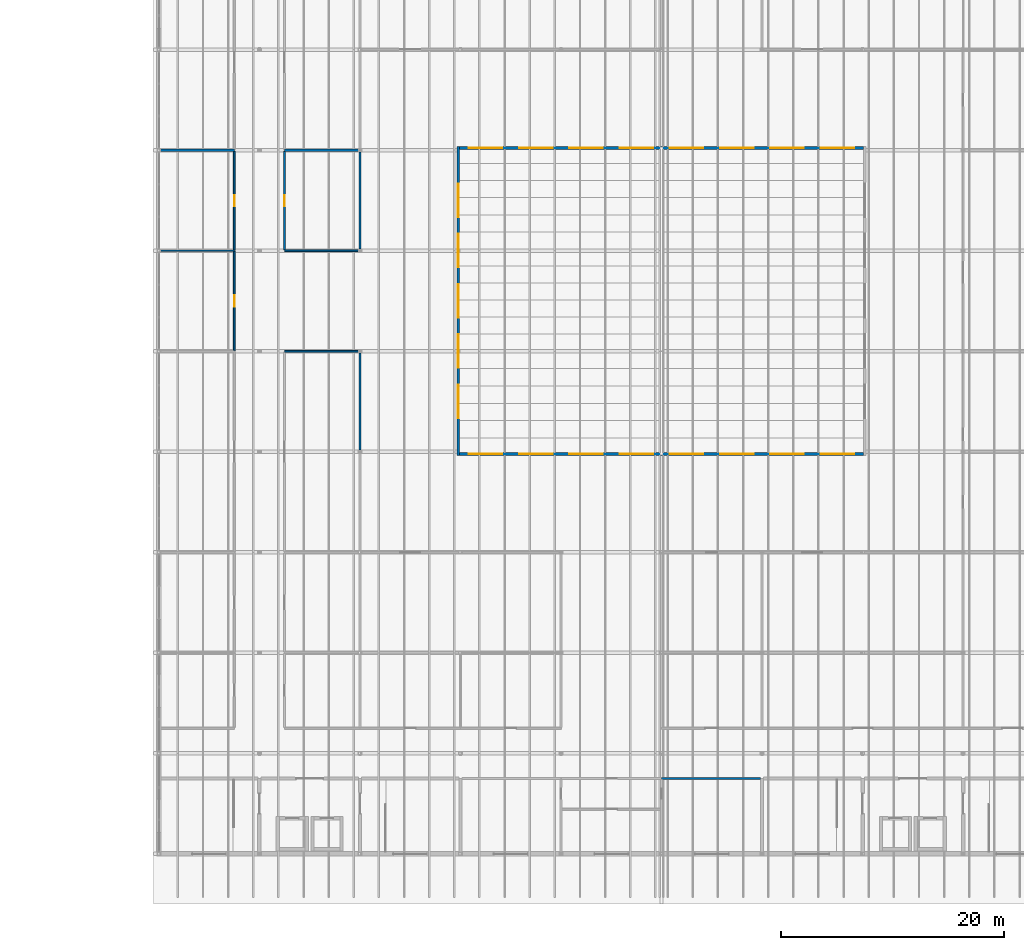
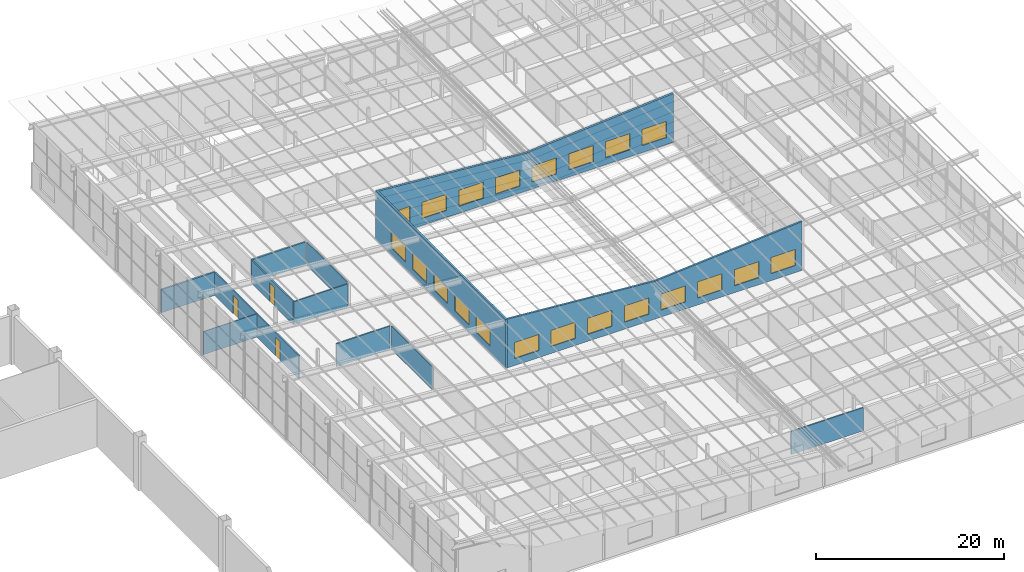
# One storey, part 72 of 85: 21 windows, 14 walls, 3 doors, 24 openings.
"""IFC4 building model written with IfcOpenShell, lengths in metres."""

from ifc_helpers import new_model, si_unit, direction, frame, frame_2d, origin, place, context, subcontext, project, spatial, polyline, rectangle, outline, extrude, material, layer, layer_set, type_object, element, fill, save


model = new_model("IFC4")

# Units and contexts
model_context = context("Model", 3, precision=1e-05, world=origin(), true_north=direction((0.0, 1.0)))
body_context = subcontext(model_context, "Body", "Model", "MODEL_VIEW")
ifc_project = project(units=[si_unit("LENGTHUNIT", "METRE"), si_unit("AREAUNIT", "SQUARE_METRE"), si_unit("VOLUMEUNIT", "CUBIC_METRE"), si_unit("PLANEANGLEUNIT", "RADIAN"), si_unit("MASSUNIT", "GRAM", prefix="KILO")], contexts=[model_context])

# Site, building, storey
site_placement = place(None, origin())
site = spatial("IfcSite", under=ifc_project, at=site_placement, CompositionType="ELEMENT")
building_placement = place(site_placement, origin())
building = spatial("IfcBuilding", under=site, at=building_placement, Name="Opaline Strait Convention Centre", CompositionType="ELEMENT")
storey_placement = place(building_placement, frame((0.0, 0.0, 17.0)))
storey = spatial("IfcBuildingStorey", under=building, at=storey_placement, Name="L03", CompositionType="ELEMENT", Elevation=17.0)

# Walls
ifc_material_1 = material(Name="Gypsum board")
ifc_layer_1 = layer(ifc_material_1, 0.050048828125)
ifc_material_2 = material(Name="Steel stud and mineral wool", Category="steel")
ifc_layer_2 = layer(ifc_material_2, 0.10009765625)
ifc_layer_3 = layer(ifc_material_1, 0.050048828125)
ifc_layer_set_1 = layer_set([ifc_layer_1, ifc_layer_2, ifc_layer_3], Name="Gypsum board, Steel stud and mineral wool, Gypsum board")
wall_type_1 = type_object("IfcWallType", Name="Acoustic partition 200 EI45", PredefinedType="PARTITIONING", material=ifc_layer_set_1)
for number, where, z_axis, x_axis, name in (
    (1, (279.14990234375, 153.0, 0.0), (0.0, 0.0, 1.0), (1.0, 0.0, 0.0), "MPW5 partition Speaker Preparation Room 3.05 N"),
    (2, (290.25, 153.0, 0.0), (0.0, 0.0, 1.0), (1.0, 0.0, 0.0), "MPW5 partition Breakout Room 3.10 N"),
):
    element("IfcWall", number, at=place(storey_placement, frame(where, z_axis=z_axis, x_axis=x_axis)), inside=storey, type_object=wall_type_1, Name=name, PredefinedType="PARTITIONING", context=body_context, shape_type="SweptSolid", body=[
        extrude(rectangle(XDim=6.60009765625, YDim=0.199951171875, at=frame_2d((3.300048828125, 0.0))), origin(), (0.0, 0.0, 1.0), 3.0),
    ])

# Wall, opening, door
ifc_layer_4 = layer(ifc_material_1, 0.032470703125)
ifc_layer_5 = layer(ifc_material_2, 0.0849609375)
ifc_layer_6 = layer(ifc_material_1, 0.032470703125)
ifc_layer_set_2 = layer_set([ifc_layer_4, ifc_layer_5, ifc_layer_6], Name="Gypsum board, Steel stud and mineral wool, Gypsum board")
wall_type_2 = type_object("IfcWallType", Name="Corridor partition 150 EI60", PredefinedType="PARTITIONING", material=ifc_layer_set_2)
wall_1_placement = place(storey_placement, frame((285.75, 135.050048828125, 0.0), z_axis=(0.0, 0.0, 1.0), x_axis=(0.0, 1.0, 0.0)))
wall_1 = element("IfcWall", 3, at=wall_1_placement, inside=storey, type_object=wall_type_2, Name="MPW1 partition Press Room 3.04 E", PredefinedType="PARTITIONING", context=body_context, shape_type="SweptSolid", body=[
    extrude(rectangle(XDim=8.89990234375, YDim=0.14990234375, at=frame_2d((4.449951171875, 0.0))), origin(), (0.0, 0.0, 1.0), 3.0),
])
opening_1_placement = place(wall_1_placement, frame((3.949951171875, 0.0, 0.0)))
opening_1 = element("IfcOpeningElement", 4, at=opening_1_placement, cuts=wall_1, Name="Opening M3-024", PredefinedType="OPENING", context=body_context, shape_type="SweptSolid", body=[
    extrude(rectangle(XDim=1.0, YDim=2.39990234375, at=frame_2d((0.5, 1.199951171875))), frame((0.0, 0.0849609375, 0.0), z_axis=(0.0, -1.0, 0.0), x_axis=(1.0, 0.0, 0.0)), (0.0, 0.0, 1.0), 0.169921875),
])
ifc_material_3 = material(Name="Solid-core timber leaf, steel frame door set", Category="steel")
door_type = type_object("IfcDoorType", Name="Meeting room door FD30 1000 x 2400", OperationType="SINGLE_SWING_LEFT", PredefinedType="DOOR", material=ifc_material_3)
door_1_placement = place(opening_1_placement, frame((1.0, 0.0, 0.0), z_axis=(0.0, 0.0, 1.0), x_axis=(-1.0, 0.0, 0.0)))
door_1 = element("IfcDoor", 5, at=door_1_placement, inside=storey, type_object=door_type, Name="Door Press Room 3.04", ObjectType="MD8", OperationType="SINGLE_SWING_RIGHT", OverallHeight=2.39990234375, OverallWidth=1.0, PredefinedType="DOOR", context=body_context, shape_type="SweptSolid", body=[
    extrude(rectangle(XDim=1.0, YDim=2.39990234375, at=frame_2d((0.5, 1.199951171875))), frame((0.0, 0.02490234375, 0.0), z_axis=(0.0, -1.0, 0.0), x_axis=(1.0, 0.0, 0.0)), (0.0, 0.0, 1.0), 0.050048828125),
])
fill(opening_1, door_1)

wall_2_placement = place(storey_placement, frame((285.75, 144.050048828125, 0.0), z_axis=(0.0, 0.0, 1.0), x_axis=(0.0, 1.0, 0.0)))
wall_2 = element("IfcWall", 6, at=wall_2_placement, inside=storey, type_object=wall_type_2, Name="MPW1 partition Speaker Preparation Room 3.05 E", PredefinedType="PARTITIONING", context=body_context, shape_type="SweptSolid", body=[
    extrude(rectangle(XDim=8.849853515625, YDim=0.14990234375, at=frame_2d((4.4248046875, 0.0))), origin(), (0.0, 0.0, 1.0), 3.0),
])
opening_2_placement = place(wall_2_placement, frame((3.9248046875, 0.0, 0.0)))
opening_2 = element("IfcOpeningElement", 7, at=opening_2_placement, cuts=wall_2, Name="Opening M3-025", PredefinedType="OPENING", context=body_context, shape_type="SweptSolid", body=[
    extrude(rectangle(XDim=1.0, YDim=2.39990234375, at=frame_2d((0.5, 1.199951171875))), frame((0.0, 0.0849609375, 0.0), z_axis=(0.0, -1.0, 0.0), x_axis=(1.0, 0.0, 0.0)), (0.0, 0.0, 1.0), 0.169921875),
])
door_2_placement = place(opening_2_placement, frame((1.0, 0.0, 0.0), z_axis=(0.0, 0.0, 1.0), x_axis=(-1.0, 0.0, 0.0)))
door_2 = element("IfcDoor", 8, at=door_2_placement, inside=storey, type_object=door_type, Name="Door Speaker Preparation Room 3.05", ObjectType="MD8", OperationType="SINGLE_SWING_LEFT", OverallHeight=2.39990234375, OverallWidth=1.0, PredefinedType="DOOR", context=body_context, shape_type="SweptSolid", body=[
    extrude(rectangle(XDim=1.0, YDim=2.39990234375, at=frame_2d((0.5, 1.199951171875))), frame((0.0, 0.02490234375, 0.0), z_axis=(0.0, -1.0, 0.0), x_axis=(1.0, 0.0, 0.0)), (0.0, 0.0, 1.0), 0.050048828125),
])
fill(opening_2, door_2)

# Walls
wall_3_placement = place(storey_placement, frame((290.25, 135.0, 0.0), z_axis=(0.0, 0.0, 1.0), x_axis=(1.0, 0.0, 0.0)))
element("IfcWall", 9, at=wall_3_placement, inside=storey, type_object=wall_type_2, Name="MPW1 partition Seminar Room 3.09 N", PredefinedType="PARTITIONING", context=body_context, shape_type="SweptSolid", body=[
    extrude(rectangle(XDim=6.60009765625, YDim=0.14990234375, at=frame_2d((3.300048828125, 0.0))), origin(), (0.0, 0.0, 1.0), 3.0),
])
wall_4_placement = place(storey_placement, frame((297.0, 126.14990234375, 0.0), z_axis=(0.0, 0.0, 1.0), x_axis=(0.0, 1.0, 0.0)))
element("IfcWall", 10, at=wall_4_placement, inside=storey, type_object=wall_type_2, Name="MPW1 partition Seminar Room 3.09 E", PredefinedType="PARTITIONING", context=body_context, shape_type="SweptSolid", body=[
    extrude(rectangle(XDim=8.7001953125, YDim=0.14990234375, at=frame_2d((4.35009765625, 0.0))), origin(), (0.0, 0.0, 1.0), 3.0),
])
wall_5_placement = place(storey_placement, frame((290.25, 144.0, 0.0), z_axis=(0.0, 0.0, 1.0), x_axis=(1.0, 0.0, 0.0)))
element("IfcWall", 11, at=wall_5_placement, inside=storey, type_object=wall_type_2, Name="MPW1 partition Breakout Room 3.10 S", PredefinedType="PARTITIONING", context=body_context, shape_type="SweptSolid", body=[
    extrude(rectangle(XDim=6.60009765625, YDim=0.14990234375, at=frame_2d((3.300048828125, 0.0))), origin(), (0.0, 0.0, 1.0), 3.0),
])

# Wall, opening, door
wall_6_placement = place(storey_placement, frame((290.25, 144.074951171875, 0.0), z_axis=(0.0, 0.0, 1.0), x_axis=(0.0, 1.0, 0.0)))
wall_6 = element("IfcWall", 12, at=wall_6_placement, inside=storey, type_object=wall_type_2, Name="MPW1 partition Breakout Room 3.10 W", PredefinedType="PARTITIONING", context=body_context, shape_type="SweptSolid", body=[
    extrude(rectangle(XDim=8.824951171875, YDim=0.14990234375, at=frame_2d((4.41259765625, 0.0))), origin(), (0.0, 0.0, 1.0), 3.0),
])
opening_3_placement = place(wall_6_placement, frame((3.912353515625, 0.0, 0.0)))
opening_3 = element("IfcOpeningElement", 13, at=opening_3_placement, cuts=wall_6, Name="Opening M3-030", PredefinedType="OPENING", context=body_context, shape_type="SweptSolid", body=[
    extrude(rectangle(XDim=1.0, YDim=2.39990234375, at=frame_2d((0.5, 1.199951171875))), frame((0.0, 0.0849609375, 0.0), z_axis=(0.0, -1.0, 0.0), x_axis=(1.0, 0.0, 0.0)), (0.0, 0.0, 1.0), 0.169921875),
])
door_3_placement = place(opening_3_placement, origin())
door_3 = element("IfcDoor", 14, at=door_3_placement, inside=storey, type_object=door_type, Name="Door Breakout Room 3.10", ObjectType="MD8", OperationType="SINGLE_SWING_LEFT", OverallHeight=2.39990234375, OverallWidth=1.0, PredefinedType="DOOR", context=body_context, shape_type="SweptSolid", body=[
    extrude(rectangle(XDim=1.0, YDim=2.39990234375, at=frame_2d((0.5, 1.199951171875))), frame((0.0, 0.02490234375, 0.0), z_axis=(0.0, -1.0, 0.0), x_axis=(1.0, 0.0, 0.0)), (0.0, 0.0, 1.0), 0.050048828125),
])
fill(opening_3, door_3)

# Walls
wall_7_placement = place(storey_placement, frame((297.0, 144.14990234375, 0.0), z_axis=(0.0, 0.0, 1.0), x_axis=(0.0, 1.0, 0.0)))
element("IfcWall", 15, at=wall_7_placement, inside=storey, type_object=wall_type_2, Name="MPW1 partition Breakout Room 3.10 E", PredefinedType="PARTITIONING", context=body_context, shape_type="SweptSolid", body=[
    extrude(rectangle(XDim=8.7001953125, YDim=0.14990234375, at=frame_2d((4.35009765625, 0.0))), origin(), (0.0, 0.0, 1.0), 3.0),
])
wall_8_placement = place(storey_placement, frame((324.0, 96.75, 0.0), z_axis=(0.0, 0.0, 1.0), x_axis=(1.0, 0.0, 0.0)))
element("IfcWall", 16, at=wall_8_placement, inside=storey, type_object=wall_type_2, Name="MPW1 partition Women's WC 3.S N", PredefinedType="PARTITIONING", context=body_context, shape_type="SweptSolid", body=[
    extrude(rectangle(XDim=8.85009765625, YDim=0.14990234375, at=frame_2d((4.425048828125, 0.0))), origin(), (0.0, 0.0, 1.0), 3.0),
])

# Wall, openings, windows
ifc_material_4 = material(Name="Concrete C40", Category="concrete")
ifc_layer_7 = layer(ifc_material_4, 0.169921875)
ifc_material_5 = material(Name="Mineral wool insulation")
ifc_layer_8 = layer(ifc_material_5, 0.050048828125)
ifc_material_6 = material(Name="Gypsum board lining")
ifc_layer_9 = layer(ifc_material_6, 0.030029296875)
ifc_layer_set_3 = layer_set([ifc_layer_7, ifc_layer_8, ifc_layer_9], Name="Concrete C40, Mineral wool insulation, Gypsum board lining")
wall_type_3 = type_object("IfcWallType", Name="RC kerb wall 250 C40", PredefinedType="SOLIDWALL", material=ifc_layer_set_3)
wall_9_placement = place(storey_placement, frame((305.800048828125, 125.675048828125, 0.0), z_axis=(0.0, 0.0, 1.0), x_axis=(0.0, 1.0, 0.0)))
wall_9 = element("IfcWall", 17, at=wall_9_placement, inside=storey, type_object=wall_type_3, Name="Atrium kerb wall W", PredefinedType="SOLIDWALL", context=body_context, shape_type="SweptSolid", body=[
    extrude(rectangle(XDim=27.64990234375, YDim=0.25, at=frame_2d((13.824951171875, 0.0))), origin(), (0.0, 0.0, 1.0), 6.335205078125),
])
opening_4_placement = place(wall_9_placement, frame((3.324951171875, 0.0, 0.89990234375)))
opening_4 = element("IfcOpeningElement", 18, at=opening_4_placement, cuts=wall_9, Name="Opening MW2", PredefinedType="OPENING", context=body_context, shape_type="SweptSolid", body=[
    extrude(rectangle(XDim=3.0, YDim=2.10009765625, at=frame_2d((1.5, 1.050048828125))), frame((0.0, 0.135009765625, 0.0), z_axis=(0.0, -1.0, 0.0), x_axis=(1.0, 0.0, 0.0)), (0.0, 0.0, 1.0), 0.27001953125),
])
opening_5_placement = place(wall_9_placement, frame((7.824951171875, 0.0, 0.89990234375)))
opening_5 = element("IfcOpeningElement", 19, at=opening_5_placement, cuts=wall_9, Name="Opening MW2", PredefinedType="OPENING", context=body_context, shape_type="SweptSolid", body=[
    extrude(rectangle(XDim=3.0, YDim=2.10009765625, at=frame_2d((1.5, 1.050048828125))), frame((0.0, 0.135009765625, 0.0), z_axis=(0.0, -1.0, 0.0), x_axis=(1.0, 0.0, 0.0)), (0.0, 0.0, 1.0), 0.27001953125),
])
opening_6_placement = place(wall_9_placement, frame((12.324951171875, 0.0, 0.89990234375)))
opening_6 = element("IfcOpeningElement", 20, at=opening_6_placement, cuts=wall_9, Name="Opening MW2", PredefinedType="OPENING", context=body_context, shape_type="SweptSolid", body=[
    extrude(rectangle(XDim=3.0, YDim=2.10009765625, at=frame_2d((1.5, 1.050048828125))), frame((0.0, 0.135009765625, 0.0), z_axis=(0.0, -1.0, 0.0), x_axis=(1.0, 0.0, 0.0)), (0.0, 0.0, 1.0), 0.27001953125),
])
opening_7_placement = place(wall_9_placement, frame((16.824951171875, 0.0, 0.89990234375)))
opening_7 = element("IfcOpeningElement", 21, at=opening_7_placement, cuts=wall_9, Name="Opening MW2", PredefinedType="OPENING", context=body_context, shape_type="SweptSolid", body=[
    extrude(rectangle(XDim=3.0, YDim=2.10009765625, at=frame_2d((1.5, 1.050048828125))), frame((0.0, 0.135009765625, 0.0), z_axis=(0.0, -1.0, 0.0), x_axis=(1.0, 0.0, 0.0)), (0.0, 0.0, 1.0), 0.27001953125),
])
opening_8_placement = place(wall_9_placement, frame((21.324951171875, 0.0, 0.89990234375)))
opening_8 = element("IfcOpeningElement", 22, at=opening_8_placement, cuts=wall_9, Name="Opening MW2", PredefinedType="OPENING", context=body_context, shape_type="SweptSolid", body=[
    extrude(rectangle(XDim=3.0, YDim=2.10009765625, at=frame_2d((1.5, 1.050048828125))), frame((0.0, 0.135009765625, 0.0), z_axis=(0.0, -1.0, 0.0), x_axis=(1.0, 0.0, 0.0)), (0.0, 0.0, 1.0), 0.27001953125),
])
ifc_material_7 = material(Name="Aluminium framed double glazing", Category="aluminium")
window_type = type_object("IfcWindowType", Name="Window 3000 x 2100", PartitioningType="TRIPLE_PANEL_VERTICAL", PredefinedType="WINDOW", material=ifc_material_7)
window_1_placement = place(opening_4_placement, origin())
window_1 = element("IfcWindow", 23, at=window_1_placement, inside=storey, type_object=window_type, Name="Atrium window L03", OverallHeight=2.10009765625, OverallWidth=3.0, PartitioningType="TRIPLE_PANEL_VERTICAL", PredefinedType="WINDOW", context=body_context, shape_type="SweptSolid", body=[
    extrude(rectangle(XDim=3.0, YDim=2.10009765625, at=frame_2d((1.5, 1.050048828125))), frame((0.0, 0.030029296875, 0.0), z_axis=(0.0, -1.0, 0.0), x_axis=(1.0, 0.0, 0.0)), (0.0, 0.0, 1.0), 0.06005859375),
])
fill(opening_4, window_1)
window_2_placement = place(opening_5_placement, origin())
window_2 = element("IfcWindow", 24, at=window_2_placement, inside=storey, type_object=window_type, Name="Atrium window L03", OverallHeight=2.10009765625, OverallWidth=3.0, PartitioningType="TRIPLE_PANEL_VERTICAL", PredefinedType="WINDOW", context=body_context, shape_type="SweptSolid", body=[
    extrude(rectangle(XDim=3.0, YDim=2.10009765625, at=frame_2d((1.5, 1.050048828125))), frame((0.0, 0.030029296875, 0.0), z_axis=(0.0, -1.0, 0.0), x_axis=(1.0, 0.0, 0.0)), (0.0, 0.0, 1.0), 0.06005859375),
])
fill(opening_5, window_2)
window_3_placement = place(opening_6_placement, origin())
window_3 = element("IfcWindow", 25, at=window_3_placement, inside=storey, type_object=window_type, Name="Atrium window L03", OverallHeight=2.10009765625, OverallWidth=3.0, PartitioningType="TRIPLE_PANEL_VERTICAL", PredefinedType="WINDOW", context=body_context, shape_type="SweptSolid", body=[
    extrude(rectangle(XDim=3.0, YDim=2.10009765625, at=frame_2d((1.5, 1.050048828125))), frame((0.0, 0.030029296875, 0.0), z_axis=(0.0, -1.0, 0.0), x_axis=(1.0, 0.0, 0.0)), (0.0, 0.0, 1.0), 0.06005859375),
])
fill(opening_6, window_3)
window_4_placement = place(opening_7_placement, origin())
window_4 = element("IfcWindow", 26, at=window_4_placement, inside=storey, type_object=window_type, Name="Atrium window L03", OverallHeight=2.10009765625, OverallWidth=3.0, PartitioningType="TRIPLE_PANEL_VERTICAL", PredefinedType="WINDOW", context=body_context, shape_type="SweptSolid", body=[
    extrude(rectangle(XDim=3.0, YDim=2.10009765625, at=frame_2d((1.5, 1.050048828125))), frame((0.0, 0.030029296875, 0.0), z_axis=(0.0, -1.0, 0.0), x_axis=(1.0, 0.0, 0.0)), (0.0, 0.0, 1.0), 0.06005859375),
])
fill(opening_7, window_4)
window_5_placement = place(opening_8_placement, origin())
window_5 = element("IfcWindow", 27, at=window_5_placement, inside=storey, type_object=window_type, Name="Atrium window L03", OverallHeight=2.10009765625, OverallWidth=3.0, PartitioningType="TRIPLE_PANEL_VERTICAL", PredefinedType="WINDOW", context=body_context, shape_type="SweptSolid", body=[
    extrude(rectangle(XDim=3.0, YDim=2.10009765625, at=frame_2d((1.5, 1.050048828125))), frame((0.0, 0.030029296875, 0.0), z_axis=(0.0, -1.0, 0.0), x_axis=(1.0, 0.0, 0.0)), (0.0, 0.0, 1.0), 0.06005859375),
])
fill(opening_8, window_5)

wall_10_placement = place(storey_placement, frame((305.925048828125, 125.800048828125, 0.0), z_axis=(0.0, 0.0, 1.0), x_axis=(1.0, 0.0, 0.0)))
wall_10 = element("IfcWall", 28, at=wall_10_placement, inside=storey, type_object=wall_type_3, Name="Atrium kerb wall S", PredefinedType="SOLIDWALL", context=body_context, shape_type="SweptSolid", body=[
    extrude(outline(polyline([(0.0, 0.0), (36.14990234375, 0.0), (36.14990234375, 6.3251953125), (18.074951171875, 4.90283203125), (0.0, 6.3251953125), (0.0, 0.0)])), frame((0.0, 0.125, 0.0), z_axis=(0.0, -1.0, 0.0), x_axis=(1.0, 0.0, 0.0)), (0.0, 0.0, 1.0), 0.25),
])
opening_9_placement = place(wall_10_placement, frame((0.824951171875, 0.0, 0.89990234375)))
opening_9 = element("IfcOpeningElement", 29, at=opening_9_placement, cuts=wall_10, Name="Opening MW2", PredefinedType="OPENING", context=body_context, shape_type="SweptSolid", body=[
    extrude(rectangle(XDim=3.0, YDim=2.10009765625, at=frame_2d((1.5, 1.050048828125))), frame((0.0, 0.135009765625, 0.0), z_axis=(0.0, -1.0, 0.0), x_axis=(1.0, 0.0, 0.0)), (0.0, 0.0, 1.0), 0.27001953125),
])
opening_10_placement = place(wall_10_placement, frame((5.324951171875, 0.0, 0.89990234375)))
opening_10 = element("IfcOpeningElement", 30, at=opening_10_placement, cuts=wall_10, Name="Opening MW2", PredefinedType="OPENING", context=body_context, shape_type="SweptSolid", body=[
    extrude(rectangle(XDim=3.0, YDim=2.10009765625, at=frame_2d((1.5, 1.050048828125))), frame((0.0, 0.135009765625, 0.0), z_axis=(0.0, -1.0, 0.0), x_axis=(1.0, 0.0, 0.0)), (0.0, 0.0, 1.0), 0.27001953125),
])
opening_11_placement = place(wall_10_placement, frame((9.824951171875, 0.0, 0.89990234375)))
opening_11 = element("IfcOpeningElement", 31, at=opening_11_placement, cuts=wall_10, Name="Opening MW2", PredefinedType="OPENING", context=body_context, shape_type="SweptSolid", body=[
    extrude(rectangle(XDim=3.0, YDim=2.10009765625, at=frame_2d((1.5, 1.050048828125))), frame((0.0, 0.135009765625, 0.0), z_axis=(0.0, -1.0, 0.0), x_axis=(1.0, 0.0, 0.0)), (0.0, 0.0, 1.0), 0.27001953125),
])
opening_12_placement = place(wall_10_placement, frame((14.324951171875, 0.0, 0.89990234375)))
opening_12 = element("IfcOpeningElement", 32, at=opening_12_placement, cuts=wall_10, Name="Opening MW2", PredefinedType="OPENING", context=body_context, shape_type="SweptSolid", body=[
    extrude(rectangle(XDim=3.0, YDim=2.10009765625, at=frame_2d((1.5, 1.050048828125))), frame((0.0, 0.135009765625, 0.0), z_axis=(0.0, -1.0, 0.0), x_axis=(1.0, 0.0, 0.0)), (0.0, 0.0, 1.0), 0.27001953125),
])
opening_13_placement = place(wall_10_placement, frame((18.824951171875, 0.0, 0.89990234375)))
opening_13 = element("IfcOpeningElement", 33, at=opening_13_placement, cuts=wall_10, Name="Opening MW2", PredefinedType="OPENING", context=body_context, shape_type="SweptSolid", body=[
    extrude(rectangle(XDim=3.0, YDim=2.10009765625, at=frame_2d((1.5, 1.050048828125))), frame((0.0, 0.135009765625, 0.0), z_axis=(0.0, -1.0, 0.0), x_axis=(1.0, 0.0, 0.0)), (0.0, 0.0, 1.0), 0.27001953125),
])
opening_14_placement = place(wall_10_placement, frame((23.324951171875, 0.0, 0.89990234375)))
opening_14 = element("IfcOpeningElement", 34, at=opening_14_placement, cuts=wall_10, Name="Opening MW2", PredefinedType="OPENING", context=body_context, shape_type="SweptSolid", body=[
    extrude(rectangle(XDim=3.0, YDim=2.10009765625, at=frame_2d((1.5, 1.050048828125))), frame((0.0, 0.135009765625, 0.0), z_axis=(0.0, -1.0, 0.0), x_axis=(1.0, 0.0, 0.0)), (0.0, 0.0, 1.0), 0.27001953125),
])
opening_15_placement = place(wall_10_placement, frame((27.824951171875, 0.0, 0.89990234375)))
opening_15 = element("IfcOpeningElement", 35, at=opening_15_placement, cuts=wall_10, Name="Opening MW2", PredefinedType="OPENING", context=body_context, shape_type="SweptSolid", body=[
    extrude(rectangle(XDim=3.0, YDim=2.10009765625, at=frame_2d((1.5, 1.050048828125))), frame((0.0, 0.135009765625, 0.0), z_axis=(0.0, -1.0, 0.0), x_axis=(1.0, 0.0, 0.0)), (0.0, 0.0, 1.0), 0.27001953125),
])
opening_16_placement = place(wall_10_placement, frame((32.324951171875, 0.0, 0.89990234375)))
opening_16 = element("IfcOpeningElement", 36, at=opening_16_placement, cuts=wall_10, Name="Opening MW2", PredefinedType="OPENING", context=body_context, shape_type="SweptSolid", body=[
    extrude(rectangle(XDim=3.0, YDim=2.10009765625, at=frame_2d((1.5, 1.050048828125))), frame((0.0, 0.135009765625, 0.0), z_axis=(0.0, -1.0, 0.0), x_axis=(1.0, 0.0, 0.0)), (0.0, 0.0, 1.0), 0.27001953125),
])
window_6_placement = place(opening_9_placement, origin())
window_6 = element("IfcWindow", 37, at=window_6_placement, inside=storey, type_object=window_type, Name="Atrium window L03", OverallHeight=2.10009765625, OverallWidth=3.0, PartitioningType="TRIPLE_PANEL_VERTICAL", PredefinedType="WINDOW", context=body_context, shape_type="SweptSolid", body=[
    extrude(rectangle(XDim=3.0, YDim=2.10009765625, at=frame_2d((1.5, 1.050048828125))), frame((0.0, 0.030029296875, 0.0), z_axis=(0.0, -1.0, 0.0), x_axis=(1.0, 0.0, 0.0)), (0.0, 0.0, 1.0), 0.06005859375),
])
fill(opening_9, window_6)
window_7_placement = place(opening_10_placement, origin())
window_7 = element("IfcWindow", 38, at=window_7_placement, inside=storey, type_object=window_type, Name="Atrium window L03", OverallHeight=2.10009765625, OverallWidth=3.0, PartitioningType="TRIPLE_PANEL_VERTICAL", PredefinedType="WINDOW", context=body_context, shape_type="SweptSolid", body=[
    extrude(rectangle(XDim=3.0, YDim=2.10009765625, at=frame_2d((1.5, 1.050048828125))), frame((0.0, 0.030029296875, 0.0), z_axis=(0.0, -1.0, 0.0), x_axis=(1.0, 0.0, 0.0)), (0.0, 0.0, 1.0), 0.06005859375),
])
fill(opening_10, window_7)
window_8_placement = place(opening_11_placement, origin())
window_8 = element("IfcWindow", 39, at=window_8_placement, inside=storey, type_object=window_type, Name="Atrium window L03", OverallHeight=2.10009765625, OverallWidth=3.0, PartitioningType="TRIPLE_PANEL_VERTICAL", PredefinedType="WINDOW", context=body_context, shape_type="SweptSolid", body=[
    extrude(rectangle(XDim=3.0, YDim=2.10009765625, at=frame_2d((1.5, 1.050048828125))), frame((0.0, 0.030029296875, 0.0), z_axis=(0.0, -1.0, 0.0), x_axis=(1.0, 0.0, 0.0)), (0.0, 0.0, 1.0), 0.06005859375),
])
fill(opening_11, window_8)
window_9_placement = place(opening_12_placement, origin())
window_9 = element("IfcWindow", 40, at=window_9_placement, inside=storey, type_object=window_type, Name="Atrium window L03", OverallHeight=2.10009765625, OverallWidth=3.0, PartitioningType="TRIPLE_PANEL_VERTICAL", PredefinedType="WINDOW", context=body_context, shape_type="SweptSolid", body=[
    extrude(rectangle(XDim=3.0, YDim=2.10009765625, at=frame_2d((1.5, 1.050048828125))), frame((0.0, 0.030029296875, 0.0), z_axis=(0.0, -1.0, 0.0), x_axis=(1.0, 0.0, 0.0)), (0.0, 0.0, 1.0), 0.06005859375),
])
fill(opening_12, window_9)
window_10_placement = place(opening_13_placement, origin())
window_10 = element("IfcWindow", 41, at=window_10_placement, inside=storey, type_object=window_type, Name="Atrium window L03", OverallHeight=2.10009765625, OverallWidth=3.0, PartitioningType="TRIPLE_PANEL_VERTICAL", PredefinedType="WINDOW", context=body_context, shape_type="SweptSolid", body=[
    extrude(rectangle(XDim=3.0, YDim=2.10009765625, at=frame_2d((1.5, 1.050048828125))), frame((0.0, 0.030029296875, 0.0), z_axis=(0.0, -1.0, 0.0), x_axis=(1.0, 0.0, 0.0)), (0.0, 0.0, 1.0), 0.06005859375),
])
fill(opening_13, window_10)
window_11_placement = place(opening_14_placement, origin())
window_11 = element("IfcWindow", 42, at=window_11_placement, inside=storey, type_object=window_type, Name="Atrium window L03", OverallHeight=2.10009765625, OverallWidth=3.0, PartitioningType="TRIPLE_PANEL_VERTICAL", PredefinedType="WINDOW", context=body_context, shape_type="SweptSolid", body=[
    extrude(rectangle(XDim=3.0, YDim=2.10009765625, at=frame_2d((1.5, 1.050048828125))), frame((0.0, 0.030029296875, 0.0), z_axis=(0.0, -1.0, 0.0), x_axis=(1.0, 0.0, 0.0)), (0.0, 0.0, 1.0), 0.06005859375),
])
fill(opening_14, window_11)
window_12_placement = place(opening_15_placement, origin())
window_12 = element("IfcWindow", 43, at=window_12_placement, inside=storey, type_object=window_type, Name="Atrium window L03", OverallHeight=2.10009765625, OverallWidth=3.0, PartitioningType="TRIPLE_PANEL_VERTICAL", PredefinedType="WINDOW", context=body_context, shape_type="SweptSolid", body=[
    extrude(rectangle(XDim=3.0, YDim=2.10009765625, at=frame_2d((1.5, 1.050048828125))), frame((0.0, 0.030029296875, 0.0), z_axis=(0.0, -1.0, 0.0), x_axis=(1.0, 0.0, 0.0)), (0.0, 0.0, 1.0), 0.06005859375),
])
fill(opening_15, window_12)
window_13_placement = place(opening_16_placement, origin())
window_13 = element("IfcWindow", 44, at=window_13_placement, inside=storey, type_object=window_type, Name="Atrium window L03", OverallHeight=2.10009765625, OverallWidth=3.0, PartitioningType="TRIPLE_PANEL_VERTICAL", PredefinedType="WINDOW", context=body_context, shape_type="SweptSolid", body=[
    extrude(rectangle(XDim=3.0, YDim=2.10009765625, at=frame_2d((1.5, 1.050048828125))), frame((0.0, 0.030029296875, 0.0), z_axis=(0.0, -1.0, 0.0), x_axis=(1.0, 0.0, 0.0)), (0.0, 0.0, 1.0), 0.06005859375),
])
fill(opening_16, window_13)

wall_11_placement = place(storey_placement, frame((305.925048828125, 153.199951171875, 0.0), z_axis=(0.0, 0.0, 1.0), x_axis=(1.0, 0.0, 0.0)))
wall_11 = element("IfcWall", 45, at=wall_11_placement, inside=storey, type_object=wall_type_3, Name="Atrium kerb wall N", PredefinedType="SOLIDWALL", context=body_context, shape_type="SweptSolid", body=[
    extrude(outline(polyline([(0.0, 0.0), (36.14990234375, 0.0), (36.14990234375, 6.3251953125), (18.074951171875, 4.90283203125), (0.0, 6.3251953125), (0.0, 0.0)])), frame((0.0, 0.125, 0.0), z_axis=(0.0, -1.0, 0.0), x_axis=(1.0, 0.0, 0.0)), (0.0, 0.0, 1.0), 0.25),
])
opening_17_placement = place(wall_11_placement, frame((0.824951171875, 0.0, 0.89990234375)))
opening_17 = element("IfcOpeningElement", 46, at=opening_17_placement, cuts=wall_11, Name="Opening MW2", PredefinedType="OPENING", context=body_context, shape_type="SweptSolid", body=[
    extrude(rectangle(XDim=3.0, YDim=2.10009765625, at=frame_2d((1.5, 1.050048828125))), frame((0.0, 0.135009765625, 0.0), z_axis=(0.0, -1.0, 0.0), x_axis=(1.0, 0.0, 0.0)), (0.0, 0.0, 1.0), 0.27001953125),
])
opening_18_placement = place(wall_11_placement, frame((5.324951171875, 0.0, 0.89990234375)))
opening_18 = element("IfcOpeningElement", 47, at=opening_18_placement, cuts=wall_11, Name="Opening MW2", PredefinedType="OPENING", context=body_context, shape_type="SweptSolid", body=[
    extrude(rectangle(XDim=3.0, YDim=2.10009765625, at=frame_2d((1.5, 1.050048828125))), frame((0.0, 0.135009765625, 0.0), z_axis=(0.0, -1.0, 0.0), x_axis=(1.0, 0.0, 0.0)), (0.0, 0.0, 1.0), 0.27001953125),
])
opening_19_placement = place(wall_11_placement, frame((9.824951171875, 0.0, 0.89990234375)))
opening_19 = element("IfcOpeningElement", 48, at=opening_19_placement, cuts=wall_11, Name="Opening MW2", PredefinedType="OPENING", context=body_context, shape_type="SweptSolid", body=[
    extrude(rectangle(XDim=3.0, YDim=2.10009765625, at=frame_2d((1.5, 1.050048828125))), frame((0.0, 0.135009765625, 0.0), z_axis=(0.0, -1.0, 0.0), x_axis=(1.0, 0.0, 0.0)), (0.0, 0.0, 1.0), 0.27001953125),
])
opening_20_placement = place(wall_11_placement, frame((14.324951171875, 0.0, 0.89990234375)))
opening_20 = element("IfcOpeningElement", 49, at=opening_20_placement, cuts=wall_11, Name="Opening MW2", PredefinedType="OPENING", context=body_context, shape_type="SweptSolid", body=[
    extrude(rectangle(XDim=3.0, YDim=2.10009765625, at=frame_2d((1.5, 1.050048828125))), frame((0.0, 0.135009765625, 0.0), z_axis=(0.0, -1.0, 0.0), x_axis=(1.0, 0.0, 0.0)), (0.0, 0.0, 1.0), 0.27001953125),
])
opening_21_placement = place(wall_11_placement, frame((18.824951171875, 0.0, 0.89990234375)))
opening_21 = element("IfcOpeningElement", 50, at=opening_21_placement, cuts=wall_11, Name="Opening MW2", PredefinedType="OPENING", context=body_context, shape_type="SweptSolid", body=[
    extrude(rectangle(XDim=3.0, YDim=2.10009765625, at=frame_2d((1.5, 1.050048828125))), frame((0.0, 0.135009765625, 0.0), z_axis=(0.0, -1.0, 0.0), x_axis=(1.0, 0.0, 0.0)), (0.0, 0.0, 1.0), 0.27001953125),
])
opening_22_placement = place(wall_11_placement, frame((23.324951171875, 0.0, 0.89990234375)))
opening_22 = element("IfcOpeningElement", 51, at=opening_22_placement, cuts=wall_11, Name="Opening MW2", PredefinedType="OPENING", context=body_context, shape_type="SweptSolid", body=[
    extrude(rectangle(XDim=3.0, YDim=2.10009765625, at=frame_2d((1.5, 1.050048828125))), frame((0.0, 0.135009765625, 0.0), z_axis=(0.0, -1.0, 0.0), x_axis=(1.0, 0.0, 0.0)), (0.0, 0.0, 1.0), 0.27001953125),
])
opening_23_placement = place(wall_11_placement, frame((27.824951171875, 0.0, 0.89990234375)))
opening_23 = element("IfcOpeningElement", 52, at=opening_23_placement, cuts=wall_11, Name="Opening MW2", PredefinedType="OPENING", context=body_context, shape_type="SweptSolid", body=[
    extrude(rectangle(XDim=3.0, YDim=2.10009765625, at=frame_2d((1.5, 1.050048828125))), frame((0.0, 0.135009765625, 0.0), z_axis=(0.0, -1.0, 0.0), x_axis=(1.0, 0.0, 0.0)), (0.0, 0.0, 1.0), 0.27001953125),
])
opening_24_placement = place(wall_11_placement, frame((32.324951171875, 0.0, 0.89990234375)))
opening_24 = element("IfcOpeningElement", 53, at=opening_24_placement, cuts=wall_11, Name="Opening MW2", PredefinedType="OPENING", context=body_context, shape_type="SweptSolid", body=[
    extrude(rectangle(XDim=3.0, YDim=2.10009765625, at=frame_2d((1.5, 1.050048828125))), frame((0.0, 0.135009765625, 0.0), z_axis=(0.0, -1.0, 0.0), x_axis=(1.0, 0.0, 0.0)), (0.0, 0.0, 1.0), 0.27001953125),
])
window_14_placement = place(opening_17_placement, origin())
window_14 = element("IfcWindow", 54, at=window_14_placement, inside=storey, type_object=window_type, Name="Atrium window L03", OverallHeight=2.10009765625, OverallWidth=3.0, PartitioningType="TRIPLE_PANEL_VERTICAL", PredefinedType="WINDOW", context=body_context, shape_type="SweptSolid", body=[
    extrude(rectangle(XDim=3.0, YDim=2.10009765625, at=frame_2d((1.5, 1.050048828125))), frame((0.0, 0.030029296875, 0.0), z_axis=(0.0, -1.0, 0.0), x_axis=(1.0, 0.0, 0.0)), (0.0, 0.0, 1.0), 0.06005859375),
])
fill(opening_17, window_14)
window_15_placement = place(opening_18_placement, origin())
window_15 = element("IfcWindow", 55, at=window_15_placement, inside=storey, type_object=window_type, Name="Atrium window L03", OverallHeight=2.10009765625, OverallWidth=3.0, PartitioningType="TRIPLE_PANEL_VERTICAL", PredefinedType="WINDOW", context=body_context, shape_type="SweptSolid", body=[
    extrude(rectangle(XDim=3.0, YDim=2.10009765625, at=frame_2d((1.5, 1.050048828125))), frame((0.0, 0.030029296875, 0.0), z_axis=(0.0, -1.0, 0.0), x_axis=(1.0, 0.0, 0.0)), (0.0, 0.0, 1.0), 0.06005859375),
])
fill(opening_18, window_15)
window_16_placement = place(opening_19_placement, origin())
window_16 = element("IfcWindow", 56, at=window_16_placement, inside=storey, type_object=window_type, Name="Atrium window L03", OverallHeight=2.10009765625, OverallWidth=3.0, PartitioningType="TRIPLE_PANEL_VERTICAL", PredefinedType="WINDOW", context=body_context, shape_type="SweptSolid", body=[
    extrude(rectangle(XDim=3.0, YDim=2.10009765625, at=frame_2d((1.5, 1.050048828125))), frame((0.0, 0.030029296875, 0.0), z_axis=(0.0, -1.0, 0.0), x_axis=(1.0, 0.0, 0.0)), (0.0, 0.0, 1.0), 0.06005859375),
])
fill(opening_19, window_16)
window_17_placement = place(opening_20_placement, origin())
window_17 = element("IfcWindow", 57, at=window_17_placement, inside=storey, type_object=window_type, Name="Atrium window L03", OverallHeight=2.10009765625, OverallWidth=3.0, PartitioningType="TRIPLE_PANEL_VERTICAL", PredefinedType="WINDOW", context=body_context, shape_type="SweptSolid", body=[
    extrude(rectangle(XDim=3.0, YDim=2.10009765625, at=frame_2d((1.5, 1.050048828125))), frame((0.0, 0.030029296875, 0.0), z_axis=(0.0, -1.0, 0.0), x_axis=(1.0, 0.0, 0.0)), (0.0, 0.0, 1.0), 0.06005859375),
])
fill(opening_20, window_17)
window_18_placement = place(opening_21_placement, origin())
window_18 = element("IfcWindow", 58, at=window_18_placement, inside=storey, type_object=window_type, Name="Atrium window L03", OverallHeight=2.10009765625, OverallWidth=3.0, PartitioningType="TRIPLE_PANEL_VERTICAL", PredefinedType="WINDOW", context=body_context, shape_type="SweptSolid", body=[
    extrude(rectangle(XDim=3.0, YDim=2.10009765625, at=frame_2d((1.5, 1.050048828125))), frame((0.0, 0.030029296875, 0.0), z_axis=(0.0, -1.0, 0.0), x_axis=(1.0, 0.0, 0.0)), (0.0, 0.0, 1.0), 0.06005859375),
])
fill(opening_21, window_18)
window_19_placement = place(opening_22_placement, origin())
window_19 = element("IfcWindow", 59, at=window_19_placement, inside=storey, type_object=window_type, Name="Atrium window L03", OverallHeight=2.10009765625, OverallWidth=3.0, PartitioningType="TRIPLE_PANEL_VERTICAL", PredefinedType="WINDOW", context=body_context, shape_type="SweptSolid", body=[
    extrude(rectangle(XDim=3.0, YDim=2.10009765625, at=frame_2d((1.5, 1.050048828125))), frame((0.0, 0.030029296875, 0.0), z_axis=(0.0, -1.0, 0.0), x_axis=(1.0, 0.0, 0.0)), (0.0, 0.0, 1.0), 0.06005859375),
])
fill(opening_22, window_19)
window_20_placement = place(opening_23_placement, origin())
window_20 = element("IfcWindow", 60, at=window_20_placement, inside=storey, type_object=window_type, Name="Atrium window L03", OverallHeight=2.10009765625, OverallWidth=3.0, PartitioningType="TRIPLE_PANEL_VERTICAL", PredefinedType="WINDOW", context=body_context, shape_type="SweptSolid", body=[
    extrude(rectangle(XDim=3.0, YDim=2.10009765625, at=frame_2d((1.5, 1.050048828125))), frame((0.0, 0.030029296875, 0.0), z_axis=(0.0, -1.0, 0.0), x_axis=(1.0, 0.0, 0.0)), (0.0, 0.0, 1.0), 0.06005859375),
])
fill(opening_23, window_20)
window_21_placement = place(opening_24_placement, origin())
window_21 = element("IfcWindow", 61, at=window_21_placement, inside=storey, type_object=window_type, Name="Atrium window L03", OverallHeight=2.10009765625, OverallWidth=3.0, PartitioningType="TRIPLE_PANEL_VERTICAL", PredefinedType="WINDOW", context=body_context, shape_type="SweptSolid", body=[
    extrude(rectangle(XDim=3.0, YDim=2.10009765625, at=frame_2d((1.5, 1.050048828125))), frame((0.0, 0.030029296875, 0.0), z_axis=(0.0, -1.0, 0.0), x_axis=(1.0, 0.0, 0.0)), (0.0, 0.0, 1.0), 0.06005859375),
])
fill(opening_24, window_21)

# Wall
ifc_layer_10 = layer(ifc_material_1, 0.012451171875)
ifc_layer_11 = layer(ifc_material_2, 0.074951171875)
ifc_layer_12 = layer(ifc_material_1, 0.012451171875)
ifc_layer_set_4 = layer_set([ifc_layer_10, ifc_layer_11, ifc_layer_12], Name="Gypsum board, Steel stud and mineral wool, Gypsum board")
wall_type_4 = type_object("IfcWallType", Name="Room partition 100 EI45", PredefinedType="PARTITIONING", material=ifc_layer_set_4)
wall_12_placement = place(storey_placement, frame((279.14990234375, 144.0, 0.0), z_axis=(0.0, 0.0, 1.0), x_axis=(1.0, 0.0, 0.0)))
element("IfcWall", 62, at=wall_12_placement, inside=storey, type_object=wall_type_4, Name="MPW2 partition Press Room 3.04 N", PredefinedType="PARTITIONING", context=body_context, shape_type="SweptSolid", body=[
    extrude(rectangle(XDim=6.60009765625, YDim=0.10009765625, at=frame_2d((3.300048828125, 0.0))), origin(), (0.0, 0.0, 1.0), 3.0),
])

save(model, "model.ifc")
